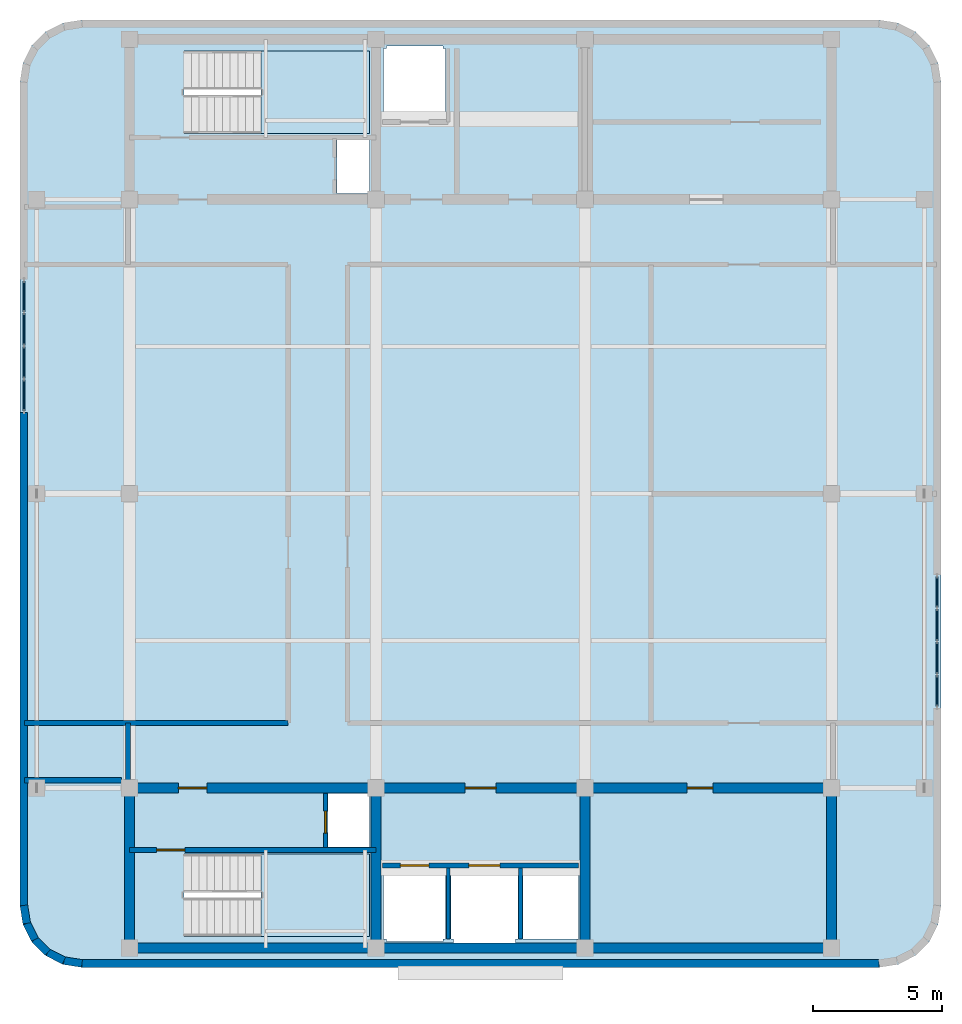
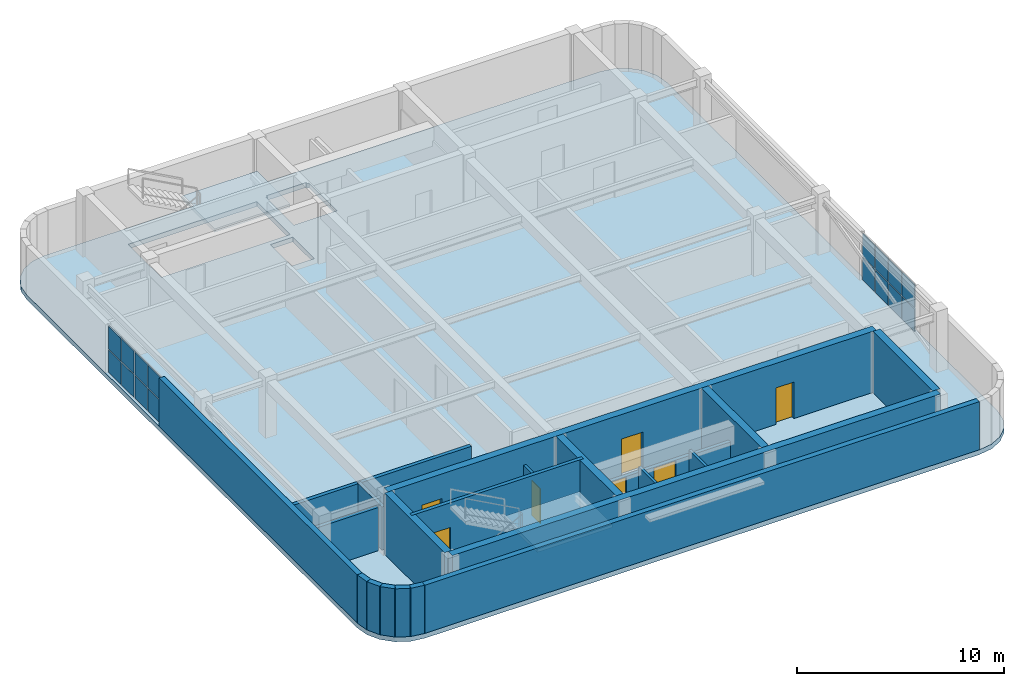
# One storey, part 4 of 9: 21 walls, 16 plates, 7 doors, 3 slabs, 7 openings, 4 elements without a shape of their own.
"""IFC4 building model written with IfcOpenShell, lengths in metres."""

from ifc_helpers import new_model, si_unit, direction, frame, frame_2d, origin, origin_2d, place, context, subcontext, project, spatial, polyline, rectangle, outline, extrude, material, layer, layer_set, type_object, element, fill, aggregate, save


model = new_model("IFC4")

# Units and contexts
model_context = context("Model", 3, precision=1e-05, world=origin(), true_north=direction((0.0, 1.0)))
body_context = subcontext(model_context, "Body", "Model", "MODEL_VIEW")
ifc_project = project(units=[si_unit("LENGTHUNIT", "METRE"), si_unit("AREAUNIT", "SQUARE_METRE"), si_unit("VOLUMEUNIT", "CUBIC_METRE"), si_unit("PLANEANGLEUNIT", "RADIAN"), si_unit("MASSUNIT", "GRAM", prefix="KILO")], contexts=[model_context])

# Site, building, storey
site_placement = place(None, origin())
site = spatial("IfcSite", under=ifc_project, at=site_placement, CompositionType="ELEMENT")
building_placement = place(site_placement, origin())
building = spatial("IfcBuilding", under=site, at=building_placement, Name="Svetorya Sky Lyceum", CompositionType="ELEMENT")
storey_placement = place(building_placement, frame((0.0, 0.0, 316.39990234375)))
storey = spatial("IfcBuildingStorey", under=building, at=storey_placement, Name="C05", CompositionType="ELEMENT", Elevation=316.39990234375)

# Curtain wall, plates
ifc_material_1 = material(Name="Thermally broken anodized aluminium and triple low-E glass", Category="aluminium")
curtain_wall_type = type_object("IfcCurtainWallType", Name="CW5-LVR-PLT", PredefinedType="NOTDEFINED", material=ifc_material_1)
curtain_wall_1_placement = place(storey_placement, origin())
curtain_wall_1 = element("IfcCurtainWall", 1, at=curtain_wall_1_placement, inside=storey, type_object=curtain_wall_type, Name="C05 Acoustic Plant Louvre Curtain Wall 12", PredefinedType="NOTDEFINED")
ifc_material_2 = material(Name="Powder-coated extruded aluminium acoustic louvre blade", Category="aluminium")
ifc_layer_1 = layer(ifc_material_2, 0.06494140625)
ifc_layer_set_1 = layer_set([ifc_layer_1], Name="Powder-coated extruded aluminium acoustic louvre blade")
plate_type = type_object("IfcPlateType", Name="CWP-LVR-65", PredefinedType="SHEET", material=ifc_layer_set_1)
plate_1_placement = place(storey_placement, frame((56.889892578125, 20.56005859375, 0.0634765625), z_axis=(0.0, 0.0, 1.0), x_axis=(0.0, 1.0, 0.0)))
plate_1 = element("IfcPlate", 2, at=plate_1_placement, type_object=plate_type, Name="CW-5 panel 1.1", PredefinedType="SHEET", context=body_context, shape_type="SweptSolid", body=[
    extrude(rectangle(XDim=1.193115234375, YDim=0.06494140625, at=origin_2d()), origin(), (0.0, 0.0, 1.0), 1.325439453125),
])
plate_2_placement = place(storey_placement, frame((56.889892578125, 20.56005859375, 1.451171875), z_axis=(0.0, 0.0, 1.0), x_axis=(0.0, 1.0, 0.0)))
plate_2 = element("IfcPlate", 3, at=plate_2_placement, type_object=plate_type, Name="CW-5 panel 1.2", PredefinedType="SHEET", context=body_context, shape_type="SweptSolid", body=[
    extrude(rectangle(XDim=1.193115234375, YDim=0.06494140625, at=origin_2d()), origin(), (0.0, 0.0, 1.0), 1.325439453125),
])
plate_3_placement = place(storey_placement, frame((56.889892578125, 21.831298828125, 0.0634765625), z_axis=(0.0, 0.0, 1.0), x_axis=(0.0, 1.0, 0.0)))
plate_3 = element("IfcPlate", 4, at=plate_3_placement, type_object=plate_type, Name="CW-5 panel 2.1", PredefinedType="SHEET", context=body_context, shape_type="SweptSolid", body=[
    extrude(rectangle(XDim=1.2255859375, YDim=0.06494140625, at=origin_2d()), origin(), (0.0, 0.0, 1.0), 1.325439453125),
])
plate_4_placement = place(storey_placement, frame((56.889892578125, 21.831298828125, 1.451171875), z_axis=(0.0, 0.0, 1.0), x_axis=(0.0, 1.0, 0.0)))
plate_4 = element("IfcPlate", 5, at=plate_4_placement, type_object=plate_type, Name="CW-5 panel 2.2", PredefinedType="SHEET", context=body_context, shape_type="SweptSolid", body=[
    extrude(rectangle(XDim=1.2255859375, YDim=0.06494140625, at=origin_2d()), origin(), (0.0, 0.0, 1.0), 1.325439453125),
])
plate_5_placement = place(storey_placement, frame((56.889892578125, 23.11865234375, 0.0634765625), z_axis=(0.0, 0.0, 1.0), x_axis=(0.0, 1.0, 0.0)))
plate_5 = element("IfcPlate", 6, at=plate_5_placement, type_object=plate_type, Name="CW-5 panel 3.1", PredefinedType="SHEET", context=body_context, shape_type="SweptSolid", body=[
    extrude(rectangle(XDim=1.2255859375, YDim=0.06494140625, at=origin_2d()), origin(), (0.0, 0.0, 1.0), 1.325439453125),
])
plate_6_placement = place(storey_placement, frame((56.889892578125, 23.11865234375, 1.451171875), z_axis=(0.0, 0.0, 1.0), x_axis=(0.0, 1.0, 0.0)))
plate_6 = element("IfcPlate", 7, at=plate_6_placement, type_object=plate_type, Name="CW-5 panel 3.2", PredefinedType="SHEET", context=body_context, shape_type="SweptSolid", body=[
    extrude(rectangle(XDim=1.2255859375, YDim=0.06494140625, at=origin_2d()), origin(), (0.0, 0.0, 1.0), 1.325439453125),
])
plate_7_placement = place(storey_placement, frame((56.889892578125, 24.389892578125, 0.0634765625), z_axis=(0.0, 0.0, 1.0), x_axis=(0.0, 1.0, 0.0)))
plate_7 = element("IfcPlate", 8, at=plate_7_placement, type_object=plate_type, Name="CW-5 panel 4.1", PredefinedType="SHEET", context=body_context, shape_type="SweptSolid", body=[
    extrude(rectangle(XDim=1.193115234375, YDim=0.06494140625, at=origin_2d()), origin(), (0.0, 0.0, 1.0), 1.325439453125),
])
plate_8_placement = place(storey_placement, frame((56.889892578125, 24.389892578125, 1.451171875), z_axis=(0.0, 0.0, 1.0), x_axis=(0.0, 1.0, 0.0)))
plate_8 = element("IfcPlate", 9, at=plate_8_placement, type_object=plate_type, Name="CW-5 panel 4.2", PredefinedType="SHEET", context=body_context, shape_type="SweptSolid", body=[
    extrude(rectangle(XDim=1.193115234375, YDim=0.06494140625, at=origin_2d()), origin(), (0.0, 0.0, 1.0), 1.325439453125),
])
aggregate(curtain_wall_1, [plate_1, plate_2, plate_3, plate_4, plate_5, plate_6, plate_7, plate_8])

curtain_wall_2_placement = place(storey_placement, origin())
curtain_wall_2 = element("IfcCurtainWall", 10, at=curtain_wall_2_placement, inside=storey, type_object=curtain_wall_type, Name="C05 Acoustic Plant Louvre Curtain Wall 24", PredefinedType="NOTDEFINED")
plate_9_placement = place(storey_placement, frame((21.510009765625, 35.840087890625, 0.0634765625), z_axis=(0.0, 0.0, 1.0), x_axis=(0.0, -1.0, 0.0)))
plate_9 = element("IfcPlate", 11, at=plate_9_placement, type_object=plate_type, Name="CW-5 panel 1.1", PredefinedType="SHEET", context=body_context, shape_type="SweptSolid", body=[
    extrude(rectangle(XDim=1.193115234375, YDim=0.06494140625, at=origin_2d()), origin(), (0.0, 0.0, 1.0), 1.325439453125),
])
plate_10_placement = place(storey_placement, frame((21.510009765625, 35.840087890625, 1.451171875), z_axis=(0.0, 0.0, 1.0), x_axis=(0.0, -1.0, 0.0)))
plate_10 = element("IfcPlate", 12, at=plate_10_placement, type_object=plate_type, Name="CW-5 panel 1.2", PredefinedType="SHEET", context=body_context, shape_type="SweptSolid", body=[
    extrude(rectangle(XDim=1.193115234375, YDim=0.06494140625, at=origin_2d()), origin(), (0.0, 0.0, 1.0), 1.325439453125),
])
plate_11_placement = place(storey_placement, frame((21.510009765625, 34.56884765625, 0.0634765625), z_axis=(0.0, 0.0, 1.0), x_axis=(0.0, -1.0, 0.0)))
plate_11 = element("IfcPlate", 13, at=plate_11_placement, type_object=plate_type, Name="CW-5 panel 2.1", PredefinedType="SHEET", context=body_context, shape_type="SweptSolid", body=[
    extrude(rectangle(XDim=1.2255859375, YDim=0.06494140625, at=origin_2d()), origin(), (0.0, 0.0, 1.0), 1.325439453125),
])
plate_12_placement = place(storey_placement, frame((21.510009765625, 34.56884765625, 1.451171875), z_axis=(0.0, 0.0, 1.0), x_axis=(0.0, -1.0, 0.0)))
plate_12 = element("IfcPlate", 14, at=plate_12_placement, type_object=plate_type, Name="CW-5 panel 2.2", PredefinedType="SHEET", context=body_context, shape_type="SweptSolid", body=[
    extrude(rectangle(XDim=1.2255859375, YDim=0.06494140625, at=origin_2d()), origin(), (0.0, 0.0, 1.0), 1.325439453125),
])
plate_13_placement = place(storey_placement, frame((21.510009765625, 33.28125, 0.0634765625), z_axis=(0.0, 0.0, 1.0), x_axis=(0.0, -1.0, 0.0)))
plate_13 = element("IfcPlate", 15, at=plate_13_placement, type_object=plate_type, Name="CW-5 panel 3.1", PredefinedType="SHEET", context=body_context, shape_type="SweptSolid", body=[
    extrude(rectangle(XDim=1.2255859375, YDim=0.06494140625, at=origin_2d()), origin(), (0.0, 0.0, 1.0), 1.325439453125),
])
plate_14_placement = place(storey_placement, frame((21.510009765625, 33.28125, 1.451171875), z_axis=(0.0, 0.0, 1.0), x_axis=(0.0, -1.0, 0.0)))
plate_14 = element("IfcPlate", 16, at=plate_14_placement, type_object=plate_type, Name="CW-5 panel 3.2", PredefinedType="SHEET", context=body_context, shape_type="SweptSolid", body=[
    extrude(rectangle(XDim=1.2255859375, YDim=0.06494140625, at=origin_2d()), origin(), (0.0, 0.0, 1.0), 1.325439453125),
])
plate_15_placement = place(storey_placement, frame((21.510009765625, 32.010009765625, 0.0634765625), z_axis=(0.0, 0.0, 1.0), x_axis=(0.0, -1.0, 0.0)))
plate_15 = element("IfcPlate", 17, at=plate_15_placement, type_object=plate_type, Name="CW-5 panel 4.1", PredefinedType="SHEET", context=body_context, shape_type="SweptSolid", body=[
    extrude(rectangle(XDim=1.193115234375, YDim=0.06494140625, at=origin_2d()), origin(), (0.0, 0.0, 1.0), 1.325439453125),
])
plate_16_placement = place(storey_placement, frame((21.510009765625, 32.010009765625, 1.451171875), z_axis=(0.0, 0.0, 1.0), x_axis=(0.0, -1.0, 0.0)))
plate_16 = element("IfcPlate", 18, at=plate_16_placement, type_object=plate_type, Name="CW-5 panel 4.2", PredefinedType="SHEET", context=body_context, shape_type="SweptSolid", body=[
    extrude(rectangle(XDim=1.193115234375, YDim=0.06494140625, at=origin_2d()), origin(), (0.0, 0.0, 1.0), 1.325439453125),
])
aggregate(curtain_wall_2, [plate_9, plate_10, plate_11, plate_12, plate_13, plate_14, plate_15, plate_16])

# Stair, slab
ifc_material_3 = material(Name="Concrete C40/50", Category="concrete")
stair_type_1 = type_object("IfcStairType", Name="STR-ST-S", PredefinedType="HALF_TURN_STAIR", material=ifc_material_3)
stair_1_placement = place(storey_placement, origin())
stair_1 = element("IfcStair", 19, at=stair_1_placement, inside=storey, type_object=stair_type_1, Name="C05 South Core Smoke-Free Exit Stair N2", PredefinedType="HALF_TURN_STAIR")
ifc_layer_2 = layer(ifc_material_3, 0.199951171875)
ifc_layer_set_2 = layer_set([ifc_layer_2], Name="Concrete C40/50")
slab_type_1 = type_object("IfcSlabType", Name="SL-STR-LAND-200", PredefinedType="LANDING", material=ifc_layer_set_2)
slab_1_placement = place(storey_placement, frame((0.0, 0.0, 1.60009765625)))
slab_1 = element("IfcSlab", 20, at=slab_1_placement, type_object=slab_type_1, Name="ST-S landing 1", PredefinedType="LANDING", context=body_context, shape_type="SweptSolid", body=[
    extrude(outline(polyline([(30.699951171875, 11.050048828125), (34.89990234375, 11.050048828125), (34.89990234375, 14.25), (30.699951171875, 14.25), (30.699951171875, 11.050048828125)])), origin(), (0.0, 0.0, 1.0), 0.199951171875),
])
aggregate(stair_1, [slab_1])

stair_type_2 = type_object("IfcStairType", Name="STR-ST-N", PredefinedType="HALF_TURN_STAIR", material=ifc_material_3)
stair_2_placement = place(storey_placement, origin())
stair_2 = element("IfcStair", 21, at=stair_2_placement, inside=storey, type_object=stair_type_2, Name="C05 North Core Smoke-Free Exit Stair N3", PredefinedType="HALF_TURN_STAIR")
slab_2_placement = place(storey_placement, frame((0.0, 0.0, 1.60009765625)))
slab_2 = element("IfcSlab", 22, at=slab_2_placement, type_object=slab_type_1, Name="ST-N landing 1", PredefinedType="LANDING", context=body_context, shape_type="SweptSolid", body=[
    extrude(outline(polyline([(30.699951171875, 42.14990234375), (34.89990234375, 42.14990234375), (34.89990234375, 45.35009765625), (30.699951171875, 45.35009765625), (30.699951171875, 42.14990234375)])), origin(), (0.0, 0.0, 1.0), 0.199951171875),
])
aggregate(stair_2, [slab_2])

# Slab
ifc_material_4 = material(Name="Concrete C50/60", Category="concrete")
ifc_layer_3 = layer(ifc_material_4, 0.280029296875)
ifc_layer_set_3 = layer_set([ifc_layer_3], Name="Concrete C50/60")
slab_type_2 = type_object("IfcSlabType", Name="SL-TWR-280", PredefinedType="FLOOR", material=ifc_layer_set_3)
slab_3_placement = place(storey_placement, frame((0.0, 0.0, -0.27978515625)))
element("IfcSlab", 23, at=slab_3_placement, inside=storey, type_object=slab_type_2, Name="C05 Structural Floor Slab", PredefinedType="FLOOR", context=body_context, shape_type="SweptSolid", body=[
    extrude(outline(polyline([(21.360107421875, 12.25), (21.4775390625, 11.50830078125), (21.818359375, 10.83935546875), (22.349365234375, 10.308349609375), (23.018310546875, 9.967529296875), (23.760009765625, 9.85009765625), (54.639892578125, 9.85009765625), (55.381591796875, 9.967529296875), (56.05078125, 10.308349609375), (56.58154296875, 10.83935546875), (56.922607421875, 11.50830078125), (57.0400390625, 12.25), (57.0400390625, 44.14990234375), (56.922607421875, 44.8916015625), (56.58154296875, 45.560791015625), (56.05078125, 46.091552734375), (55.381591796875, 46.4326171875), (54.639892578125, 46.550048828125), (23.760009765625, 46.550048828125), (23.018310546875, 46.4326171875), (22.349365234375, 46.091552734375), (21.818359375, 45.560791015625), (21.4775390625, 44.8916015625), (21.360107421875, 44.14990234375), (21.360107421875, 12.25)]), holes=[polyline([(37.75, 10.85009765625), (35.550048828125, 10.85009765625), (35.550048828125, 10.949951171875), (35.449951171875, 10.949951171875), (35.449951171875, 13.64990234375), (35.550048828125, 13.64990234375), (37.75, 13.64990234375), (37.85009765625, 13.64990234375), (37.85009765625, 10.949951171875), (37.75, 10.949951171875), (37.75, 10.85009765625)]), polyline([(34.89990234375, 11.050048828125), (27.719970703125, 11.050048828125), (27.719970703125, 14.25), (34.89990234375, 14.25), (34.89990234375, 11.050048828125)]), polyline([(34.89990234375, 14.52001953125), (33.300048828125, 14.52001953125), (33.300048828125, 16.580078125), (34.89990234375, 16.580078125), (34.89990234375, 14.52001953125)]), polyline([(33.64990234375, 39.820068359375), (33.64990234375, 41.89990234375), (34.89990234375, 41.89990234375), (34.89990234375, 39.820068359375), (33.64990234375, 39.820068359375)]), polyline([(27.719970703125, 42.14990234375), (27.719970703125, 45.35009765625), (34.89990234375, 45.35009765625), (34.89990234375, 42.14990234375), (27.719970703125, 42.14990234375)]), polyline([(37.75, 45.449951171875), (37.85009765625, 45.449951171875), (37.85009765625, 42.75), (37.75, 42.75), (35.550048828125, 42.75), (35.449951171875, 42.75), (35.449951171875, 45.449951171875), (35.550048828125, 45.449951171875), (35.550048828125, 45.550048828125), (37.75, 45.550048828125), (37.75, 45.449951171875)]), polyline([(40.64990234375, 13.64990234375), (40.64990234375, 10.949951171875), (40.550048828125, 10.949951171875), (40.550048828125, 10.800048828125), (38.14990234375, 10.800048828125), (38.14990234375, 10.949951171875), (38.050048828125, 10.949951171875), (38.050048828125, 13.64990234375), (38.14990234375, 13.64990234375), (38.14990234375, 13.699951171875), (40.550048828125, 13.699951171875), (40.550048828125, 13.64990234375), (40.64990234375, 13.64990234375)]), polyline([(40.85009765625, 10.949951171875), (40.85009765625, 13.64990234375), (43.0, 13.64990234375), (43.0, 10.949951171875), (40.85009765625, 10.949951171875)])]), origin(), (0.0, 0.0, 1.0), 0.27978515625),
])

# Walls
ifc_layer_4 = layer(ifc_material_3, 0.39990234375)
ifc_layer_set_4 = layer_set([ifc_layer_4], Name="Concrete C40/50")
wall_type_1 = type_object("IfcWallType", Name="WL-CORE-400", PredefinedType="SHEAR", material=ifc_layer_set_4)
wall_1_placement = place(storey_placement, frame((52.800048828125, 10.60009765625, 0.0), z_axis=(0.0, 0.0, 1.0), x_axis=(-1.0, 0.0, 0.0)))
element("IfcWall", 24, at=wall_1_placement, inside=storey, type_object=wall_type_1, Name="C05 SC Outer Core Shear Wall", PredefinedType="SHEAR", context=body_context, shape_type="SweptSolid", body=[
    extrude(rectangle(XDim=27.199951171875, YDim=0.39990234375, at=frame_2d((13.60009765625, 0.0))), origin(), (0.0, 0.0, 1.0), 3.60009765625),
])
for number, where, z_axis, x_axis, name in (
    (25, (25.60009765625, 10.800048828125, 0.0), (0.0, 0.0, 1.0), (0.0, 1.0, 0.0), "C05 SC West Core Shear Wall"),
    (26, (52.800048828125, 10.800048828125, 0.0), (0.0, 0.0, 1.0), (0.0, 1.0, 0.0), "C05 SC East Core Shear Wall"),
):
    element("IfcWall", number, at=place(storey_placement, frame(where, z_axis=z_axis, x_axis=x_axis)), inside=storey, type_object=wall_type_1, Name=name, PredefinedType="SHEAR", context=body_context, shape_type="SweptSolid", body=[
        extrude(rectangle(XDim=5.800048828125, YDim=0.39990234375, at=frame_2d((2.89990234375, 0.0))), origin(), (0.0, 0.0, 1.0), 3.60009765625),
    ])

# Wall, openings, doors
wall_2_placement = place(storey_placement, frame((25.60009765625, 16.800048828125, 0.0), z_axis=(0.0, 0.0, 1.0), x_axis=(1.0, 0.0, 0.0)))
wall_2 = element("IfcWall", 27, at=wall_2_placement, inside=storey, type_object=wall_type_1, Name="C05 SC Inner Core Shear Wall", PredefinedType="SHEAR", context=body_context, shape_type="SweptSolid", body=[
    extrude(rectangle(XDim=27.199951171875, YDim=0.39990234375, at=frame_2d((13.60009765625, 0.0))), origin(), (0.0, 0.0, 1.0), 3.60009765625),
])
opening_1_placement = place(wall_2_placement, frame((1.89990234375, 0.0, 0.0)))
opening_1 = element("IfcOpeningElement", 28, at=opening_1_placement, cuts=wall_2, Name="Opening D-ST1", PredefinedType="OPENING", context=body_context, shape_type="SweptSolid", body=[
    extrude(rectangle(XDim=1.10009765625, YDim=2.14990234375, at=frame_2d((0.550048828125, 1.074951171875))), frame((0.0, 0.2099609375, 0.0), z_axis=(0.0, -1.0, 0.0), x_axis=(1.0, 0.0, 0.0)), (0.0, 0.0, 1.0), 0.419921875),
])
opening_2_placement = place(wall_2_placement, frame((13.0, 0.0, 0.0)))
opening_2 = element("IfcOpeningElement", 29, at=opening_2_placement, cuts=wall_2, Name="Opening D-FL1", PredefinedType="OPENING", context=body_context, shape_type="SweptSolid", body=[
    extrude(rectangle(XDim=1.199951171875, YDim=2.14990234375, at=frame_2d((0.60009765625, 1.074951171875))), frame((0.0, 0.2099609375, 0.0), z_axis=(0.0, -1.0, 0.0), x_axis=(1.0, 0.0, 0.0)), (0.0, 0.0, 1.0), 0.419921875),
])
opening_3_placement = place(wall_2_placement, frame((21.60009765625, 0.0, 0.0)))
opening_3 = element("IfcOpeningElement", 30, at=opening_3_placement, cuts=wall_2, Name="Opening D-RM2", PredefinedType="OPENING", context=body_context, shape_type="SweptSolid", body=[
    extrude(rectangle(XDim=1.0, YDim=2.14990234375, at=frame_2d((0.5, 1.074951171875))), frame((0.0, 0.2099609375, 0.0), z_axis=(0.0, -1.0, 0.0), x_axis=(1.0, 0.0, 0.0)), (0.0, 0.0, 1.0), 0.419921875),
])
ifc_material_5 = material(Name="Powder-coated insulated galvanized stair fire door")
door_type_1 = type_object("IfcDoorType", Name="DR-FIRE-1100", OperationType="SINGLE_SWING_LEFT", PredefinedType="DOOR", material=ifc_material_5)
door_1_placement = place(opening_1_placement, origin())
door_1 = element("IfcDoor", 31, at=door_1_placement, inside=storey, type_object=door_type_1, Name="C05 South Stair Airlock Door", OperationType="SINGLE_SWING_RIGHT", OverallHeight=2.14990234375, OverallWidth=1.10009765625, PredefinedType="DOOR", context=body_context, shape_type="SweptSolid", body=[
    extrude(rectangle(XDim=1.10009765625, YDim=2.14990234375, at=frame_2d((0.550048828125, 1.074951171875))), frame((0.0, 0.02490234375, 0.0), z_axis=(0.0, -1.0, 0.0), x_axis=(1.0, 0.0, 0.0)), (0.0, 0.0, 1.0), 0.050048828125),
])
fill(opening_1, door_1)
ifc_material_6 = material(Name="Powder-coated insulated galvanized fire door")
door_type_2 = type_object("IfcDoorType", Name="DR-FIRE-1200", OperationType="SINGLE_SWING_LEFT", PredefinedType="DOOR", material=ifc_material_6)
door_2_placement = place(opening_2_placement, origin())
door_2 = element("IfcDoor", 32, at=door_2_placement, inside=storey, type_object=door_type_2, Name="C05 South Firefighting Lift Lobby Door", OperationType="SINGLE_SWING_LEFT", OverallHeight=2.14990234375, OverallWidth=1.199951171875, PredefinedType="DOOR", context=body_context, shape_type="SweptSolid", body=[
    extrude(rectangle(XDim=1.199951171875, YDim=2.14990234375, at=frame_2d((0.60009765625, 1.074951171875))), frame((0.0, 0.02490234375, 0.0), z_axis=(0.0, -1.0, 0.0), x_axis=(1.0, 0.0, 0.0)), (0.0, 0.0, 1.0), 0.050048828125),
])
fill(opening_2, door_2)
ifc_material_7 = material(Name="Solid-core oak acoustic room door")
door_type_3 = type_object("IfcDoorType", Name="DR-INT-1000", OperationType="SINGLE_SWING_LEFT", PredefinedType="DOOR", material=ifc_material_7)
door_3_placement = place(opening_3_placement, origin())
door_3 = element("IfcDoor", 33, at=door_3_placement, inside=storey, type_object=door_type_3, Name="C05 Trunk Store Door", OperationType="SINGLE_SWING_LEFT", OverallHeight=2.14990234375, OverallWidth=1.0, PredefinedType="DOOR", context=body_context, shape_type="SweptSolid", body=[
    extrude(rectangle(XDim=1.0, YDim=2.14990234375, at=frame_2d((0.5, 1.074951171875))), frame((0.0, 0.02490234375, 0.0), z_axis=(0.0, -1.0, 0.0), x_axis=(1.0, 0.0, 0.0)), (0.0, 0.0, 1.0), 0.050048828125),
])
fill(opening_3, door_3)

# Walls
for number, where, z_axis, x_axis, name in (
    (34, (35.14990234375, 10.800048828125, 0.0), (0.0, 0.0, 1.0), (0.0, 1.0, 0.0), "C05 SC Internal Shear Web WEB1"),
    (35, (43.25, 10.800048828125, 0.0), (0.0, 0.0, 1.0), (0.0, 1.0, 0.0), "C05 SC Internal Shear Web WEB2"),
):
    element("IfcWall", number, at=place(storey_placement, frame(where, z_axis=z_axis, x_axis=x_axis)), inside=storey, type_object=wall_type_1, Name=name, PredefinedType="SHEAR", context=body_context, shape_type="SweptSolid", body=[
        extrude(rectangle(XDim=5.800048828125, YDim=0.39990234375, at=frame_2d((2.89990234375, 0.0))), origin(), (0.0, 0.0, 1.0), 3.60009765625),
    ])
ifc_material_8 = material(Name="Putilovo limestone rainscreen on autoclaved cellular masonry", Category="masonry")
ifc_layer_5 = layer(ifc_material_8, 0.300048828125)
ifc_layer_set_5 = layer_set([ifc_layer_5], Name="Putilovo limestone rainscreen on autoclaved cellular masonry")
wall_type_2 = type_object("IfcWallType", Name="WL-EXT-300", PredefinedType="SOLIDWALL", material=ifc_layer_set_5)
for number, where, z_axis, x_axis, name in (
    (36, (21.510009765625, 12.25, 0.0), (0.0, 0.0, 1.0), (0.156407776626, -0.987692567255, 0.0), "C05 Limestone Exterior Wall 1M"),
    (37, (21.6201171875, 11.5546875, 0.0), (0.0, 0.0, 1.0), (0.453998517824, -0.891002438725, 0.0), "C05 Limestone Exterior Wall 2M"),
):
    element("IfcWall", number, at=place(storey_placement, frame(where, z_axis=z_axis, x_axis=x_axis)), inside=storey, type_object=wall_type_2, Name=name, PredefinedType="SOLIDWALL", context=body_context, shape_type="SweptSolid", body=[
        extrude(rectangle(XDim=0.703857421875, YDim=0.300048828125, at=frame_2d((0.35205078125, 0.0))), origin(), (0.0, 0.0, 1.0), 2.840087890625),
    ])
wall_3_placement = place(storey_placement, frame((21.939697265625, 10.927490234375, 0.0), z_axis=(0.0, 0.0, 1.0), x_axis=(0.707106781187, -0.707106781187, 0.0)))
element("IfcWall", 38, at=wall_3_placement, inside=storey, type_object=wall_type_2, Name="C05 Limestone Exterior Wall 3M", PredefinedType="SOLIDWALL", context=body_context, shape_type="SweptSolid", body=[
    extrude(rectangle(XDim=0.7041015625, YDim=0.300048828125, at=frame_2d((0.35205078125, 0.0))), origin(), (0.0, 0.0, 1.0), 2.840087890625),
])
for number, where, z_axis, x_axis, name in (
    (39, (22.4375, 10.4296875, 0.0), (0.0, 0.0, 1.0), (0.891002438725, -0.453998517824, 0.0), "C05 Limestone Exterior Wall 4M"),
    (40, (23.064697265625, 10.110107421875, 0.0), (0.0, 0.0, 1.0), (0.987692567255, -0.156407776626, 0.0), "C05 Limestone Exterior Wall 5M"),
):
    element("IfcWall", number, at=place(storey_placement, frame(where, z_axis=z_axis, x_axis=x_axis)), inside=storey, type_object=wall_type_2, Name=name, PredefinedType="SOLIDWALL", context=body_context, shape_type="SweptSolid", body=[
        extrude(rectangle(XDim=0.703857421875, YDim=0.300048828125, at=frame_2d((0.35205078125, 0.0))), origin(), (0.0, 0.0, 1.0), 2.840087890625),
    ])
wall_4_placement = place(storey_placement, frame((23.760009765625, 10.0, 0.0), z_axis=(0.0, 0.0, 1.0), x_axis=(1.0, 0.0, 0.0)))
element("IfcWall", 41, at=wall_4_placement, inside=storey, type_object=wall_type_2, Name="C05 Limestone Exterior Wall 6M", PredefinedType="SOLIDWALL", context=body_context, shape_type="SweptSolid", body=[
    extrude(rectangle(XDim=30.8798828125, YDim=0.300048828125, at=frame_2d((15.43994140625, 0.0))), origin(), (0.0, 0.0, 1.0), 2.840087890625),
])
wall_5_placement = place(storey_placement, frame((21.510009765625, 31.35009765625, 0.0), z_axis=(0.0, 0.0, 1.0), x_axis=(0.0, -1.0, 0.0)))
element("IfcWall", 42, at=wall_5_placement, inside=storey, type_object=wall_type_2, Name="C05 Limestone Exterior Wall 24B", PredefinedType="SOLIDWALL", context=body_context, shape_type="SweptSolid", body=[
    extrude(rectangle(XDim=19.10009765625, YDim=0.300048828125, at=frame_2d((9.550048828125, 0.0))), origin(), (0.0, 0.0, 1.0), 2.840087890625),
])

# Wall, opening, door
ifc_material_9 = material(Name="Autoclaved cellular masonry blockwork with acoustic render", Category="masonry")
ifc_layer_6 = layer(ifc_material_9, 0.14990234375)
ifc_layer_set_6 = layer_set([ifc_layer_6], Name="Autoclaved cellular masonry blockwork with acoustic render")
wall_type_3 = type_object("IfcWallType", Name="WL-PART-150", PredefinedType="PARTITIONING", material=ifc_layer_set_6)
wall_6_placement = place(storey_placement, frame((33.199951171875, 14.5, 0.0), z_axis=(0.0, 0.0, 1.0), x_axis=(0.0, 1.0, 0.0)))
wall_6 = element("IfcWall", 43, at=wall_6_placement, inside=storey, type_object=wall_type_3, Name="C05 Interior Partition SC-AIRDIV", PredefinedType="PARTITIONING", context=body_context, shape_type="SweptSolid", body=[
    extrude(rectangle(XDim=2.080078125, YDim=0.14990234375, at=frame_2d((1.0400390625, 0.0))), origin(), (0.0, 0.0, 1.0), 2.5400390625),
])
opening_4_placement = place(wall_6_placement, frame((0.550048828125, 0.0, 0.0)))
opening_4 = element("IfcOpeningElement", 44, at=opening_4_placement, cuts=wall_6, Name="Opening D-SH1", PredefinedType="OPENING", context=body_context, shape_type="SweptSolid", body=[
    extrude(rectangle(XDim=0.85009765625, YDim=2.050048828125, at=frame_2d((0.425048828125, 1.02490234375))), frame((0.0, 0.0849609375, 0.0), z_axis=(0.0, -1.0, 0.0), x_axis=(1.0, 0.0, 0.0)), (0.0, 0.0, 1.0), 0.169921875),
])
ifc_material_10 = material(Name="Insulated galvanized riser inspection fire door")
door_type_4 = type_object("IfcDoorType", Name="DR-SHFT-850", OperationType="SINGLE_SWING_LEFT", PredefinedType="TRAPDOOR", material=ifc_material_10)
door_4_placement = place(opening_4_placement, origin())
door_4 = element("IfcDoor", 45, at=door_4_placement, inside=storey, type_object=door_type_4, Name="C05 South Riser Access Door", OperationType="SINGLE_SWING_RIGHT", OverallHeight=2.050048828125, OverallWidth=0.85009765625, PredefinedType="TRAPDOOR", context=body_context, shape_type="SweptSolid", body=[
    extrude(rectangle(XDim=0.85009765625, YDim=2.050048828125, at=frame_2d((0.425048828125, 1.02490234375))), frame((0.0, 0.02490234375, 0.0), z_axis=(0.0, -1.0, 0.0), x_axis=(1.0, 0.0, 0.0)), (0.0, 0.0, 1.0), 0.050048828125),
])
fill(opening_4, door_4)

# Walls
for number, where, z_axis, x_axis, name in (
    (46, (37.949951171875, 10.949951171875, 0.0), (0.0, 0.0, 1.0), (0.0, 1.0, 0.0), "C05 Interior Partition SC-SHD1"),
    (47, (40.75, 10.949951171875, 0.0), (0.0, 0.0, 1.0), (0.0, 1.0, 0.0), "C05 Interior Partition SC-SHD2"),
):
    element("IfcWall", number, at=place(storey_placement, frame(where, z_axis=z_axis, x_axis=x_axis)), inside=storey, type_object=wall_type_3, Name=name, PredefinedType="PARTITIONING", context=body_context, shape_type="SweptSolid", body=[
        extrude(rectangle(XDim=2.75, YDim=0.14990234375, at=frame_2d((1.375, 0.0))), origin(), (0.0, 0.0, 1.0), 2.5400390625),
    ])

# Wall, openings, doors
ifc_material_11 = material(Name="Autoclaved cellular masonry blockwork with gypsum plaster", Category="masonry")
ifc_layer_7 = layer(ifc_material_11, 0.199951171875)
ifc_layer_set_7 = layer_set([ifc_layer_7], Name="Autoclaved cellular masonry blockwork with gypsum plaster")
wall_type_4 = type_object("IfcWallType", Name="WL-PART-200", PredefinedType="PARTITIONING", material=ifc_layer_set_7)
wall_7_placement = place(storey_placement, frame((35.39990234375, 13.800048828125, 0.0), z_axis=(0.0, 0.0, 1.0), x_axis=(1.0, 0.0, 0.0)))
wall_7 = element("IfcWall", 48, at=wall_7_placement, inside=storey, type_object=wall_type_4, Name="C05 Interior Partition SC-FLW", PredefinedType="PARTITIONING", context=body_context, shape_type="SweptSolid", body=[
    extrude(rectangle(XDim=7.60009765625, YDim=0.199951171875, at=frame_2d((3.800048828125, 0.0))), origin(), (0.0, 0.0, 1.0), 2.2001953125),
])
opening_5_placement = place(wall_7_placement, frame((0.699951171875, 0.0, 0.0)))
opening_5 = element("IfcOpeningElement", 49, at=opening_5_placement, cuts=wall_7, Name="Opening LD-FL", PredefinedType="OPENING", context=body_context, shape_type="SweptSolid", body=[
    extrude(rectangle(XDim=1.10009765625, YDim=2.14990234375, at=frame_2d((0.550048828125, 1.074951171875))), frame((0.0, 0.10986328125, 0.0), z_axis=(0.0, -1.0, 0.0), x_axis=(1.0, 0.0, 0.0)), (0.0, 0.0, 1.0), 0.219970703125),
])
opening_6_placement = place(wall_7_placement, frame((3.35009765625, 0.0, 0.0)))
opening_6 = element("IfcOpeningElement", 50, at=opening_6_placement, cuts=wall_7, Name="Opening LD-SV", PredefinedType="OPENING", context=body_context, shape_type="SweptSolid", body=[
    extrude(rectangle(XDim=1.199951171875, YDim=2.14990234375, at=frame_2d((0.60009765625, 1.074951171875))), frame((0.0, 0.10986328125, 0.0), z_axis=(0.0, -1.0, 0.0), x_axis=(1.0, 0.0, 0.0)), (0.0, 0.0, 1.0), 0.219970703125),
])
ifc_material_12 = material(Name="Fire-rated stainless AISI 304 firefighting lift landing door")
door_type_5 = type_object("IfcDoorType", Name="DR-LIFT-1100", OperationType="SLIDING_TO_LEFT", PredefinedType="DOOR", material=ifc_material_12)
door_5_placement = place(opening_5_placement, origin())
door_5 = element("IfcDoor", 51, at=door_5_placement, inside=storey, type_object=door_type_5, Name="C05 Firefighting Lift FL2 Landing Door", OperationType="SLIDING_TO_LEFT", OverallHeight=2.14990234375, OverallWidth=1.10009765625, PredefinedType="DOOR", context=body_context, shape_type="SweptSolid", body=[
    extrude(rectangle(XDim=1.10009765625, YDim=2.14990234375, at=frame_2d((0.550048828125, 1.074951171875))), frame((0.0, 0.02490234375, 0.0), z_axis=(0.0, -1.0, 0.0), x_axis=(1.0, 0.0, 0.0)), (0.0, 0.0, 1.0), 0.050048828125),
])
fill(opening_5, door_5)
ifc_material_13 = material(Name="Brushed stainless AISI 304 telescopic lift landing door")
door_type_6 = type_object("IfcDoorType", Name="DR-LIFT-1200", OperationType="SLIDING_TO_LEFT", PredefinedType="DOOR", material=ifc_material_13)
door_6_placement = place(opening_6_placement, origin())
door_6 = element("IfcDoor", 52, at=door_6_placement, inside=storey, type_object=door_type_6, Name="C05 Service Lift SVL1 Landing Door", OperationType="SLIDING_TO_LEFT", OverallHeight=2.14990234375, OverallWidth=1.199951171875, PredefinedType="DOOR", context=body_context, shape_type="SweptSolid", body=[
    extrude(rectangle(XDim=1.199951171875, YDim=2.14990234375, at=frame_2d((0.60009765625, 1.074951171875))), frame((0.0, 0.02490234375, 0.0), z_axis=(0.0, -1.0, 0.0), x_axis=(1.0, 0.0, 0.0)), (0.0, 0.0, 1.0), 0.050048828125),
])
fill(opening_6, door_6)

# Walls
wall_8_placement = place(storey_placement, frame((21.530029296875, 19.320068359375, 0.0), z_axis=(0.0, 0.0, 1.0), x_axis=(1.0, 0.0, 0.0)))
element("IfcWall", 53, at=wall_8_placement, inside=storey, type_object=wall_type_4, Name="C05 Interior Partition PL-SW", PredefinedType="PARTITIONING", context=body_context, shape_type="SweptSolid", body=[
    extrude(rectangle(XDim=10.219970703125, YDim=0.199951171875, at=frame_2d((5.10986328125, 0.0))), origin(), (0.0, 0.0, 1.0), 2.5400390625),
])
wall_9_placement = place(storey_placement, frame((25.550048828125, 16.949951171875, 0.0), z_axis=(0.0, 0.0, 1.0), x_axis=(0.0, 1.0, 0.0)))
element("IfcWall", 54, at=wall_9_placement, inside=storey, type_object=wall_type_4, Name="C05 Interior Partition PL-SW-END", PredefinedType="PARTITIONING", context=body_context, shape_type="SweptSolid", body=[
    extrude(rectangle(XDim=2.3701171875, YDim=0.199951171875, at=frame_2d((1.18505859375, 0.0))), origin(), (0.0, 0.0, 1.0), 2.5400390625),
])
wall_10_placement = place(storey_placement, frame((21.530029296875, 17.10009765625, 0.0), z_axis=(0.0, 0.0, 1.0), x_axis=(1.0, 0.0, 0.0)))
element("IfcWall", 55, at=wall_10_placement, inside=storey, type_object=wall_type_4, Name="C05 Interior Partition PL-WS-CAP", PredefinedType="PARTITIONING", context=body_context, shape_type="SweptSolid", body=[
    extrude(rectangle(XDim=3.77001953125, YDim=0.199951171875, at=frame_2d((1.885009765625, 0.0))), origin(), (0.0, 0.0, 1.0), 2.5400390625),
])

# Wall, opening, door
ifc_layer_8 = layer(ifc_material_4, 0.199951171875)
ifc_layer_set_8 = layer_set([ifc_layer_8], Name="Concrete C50/60")
wall_type_5 = type_object("IfcWallType", Name="WL-SHW-200", PredefinedType="SHEAR", material=ifc_layer_set_8)
wall_11_placement = place(storey_placement, frame((25.60009765625, 14.39990234375, 0.0), z_axis=(0.0, 0.0, 1.0), x_axis=(1.0, 0.0, 0.0)))
wall_11 = element("IfcWall", 56, at=wall_11_placement, inside=storey, type_object=wall_type_5, Name="C05 Structural Stair Shaft Wall SC-STW", PredefinedType="SHEAR", context=body_context, shape_type="SweptSolid", body=[
    extrude(rectangle(XDim=9.5498046875, YDim=0.199951171875, at=frame_2d((4.77490234375, 0.0))), origin(), (0.0, 0.0, 1.0), 3.60009765625),
])
opening_7_placement = place(wall_11_placement, frame((1.050048828125, 0.0, 0.0)))
opening_7 = element("IfcOpeningElement", 57, at=opening_7_placement, cuts=wall_11, Name="Opening D-ST1", PredefinedType="OPENING", context=body_context, shape_type="SweptSolid", body=[
    extrude(rectangle(XDim=1.10009765625, YDim=2.14990234375, at=frame_2d((0.550048828125, 1.074951171875))), frame((0.0, 0.10986328125, 0.0), z_axis=(0.0, -1.0, 0.0), x_axis=(1.0, 0.0, 0.0)), (0.0, 0.0, 1.0), 0.219970703125),
])
door_7_placement = place(opening_7_placement, origin())
door_7 = element("IfcDoor", 58, at=door_7_placement, inside=storey, type_object=door_type_1, Name="C05 Stair ST-S Vestibule Fire Door", OperationType="SINGLE_SWING_LEFT", OverallHeight=2.14990234375, OverallWidth=1.10009765625, PredefinedType="DOOR", context=body_context, shape_type="SweptSolid", body=[
    extrude(rectangle(XDim=1.10009765625, YDim=2.14990234375, at=frame_2d((0.550048828125, 1.074951171875))), frame((0.0, 0.02490234375, 0.0), z_axis=(0.0, -1.0, 0.0), x_axis=(1.0, 0.0, 0.0)), (0.0, 0.0, 1.0), 0.050048828125),
])
fill(opening_7, door_7)

save(model, "model.ifc")
